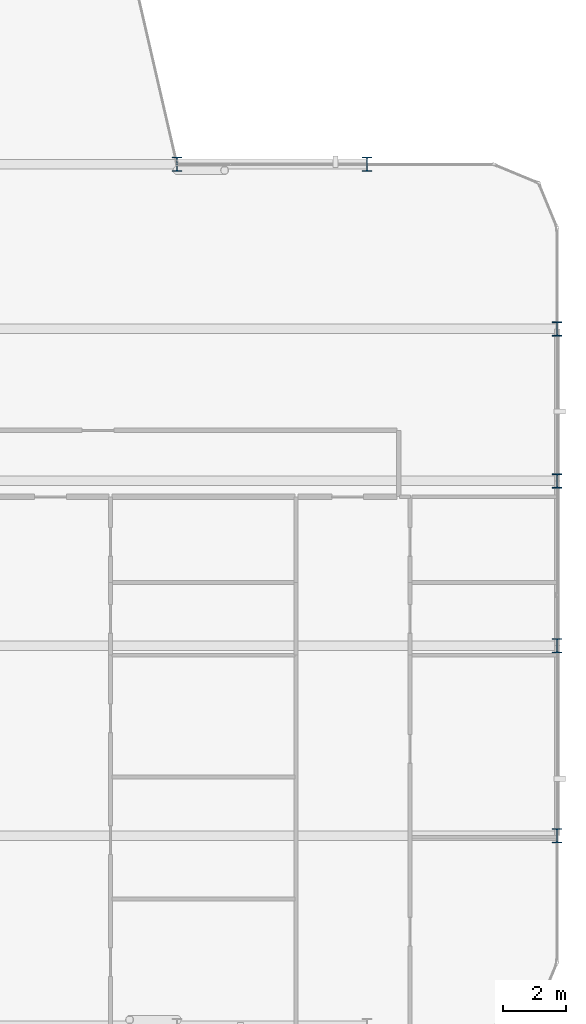
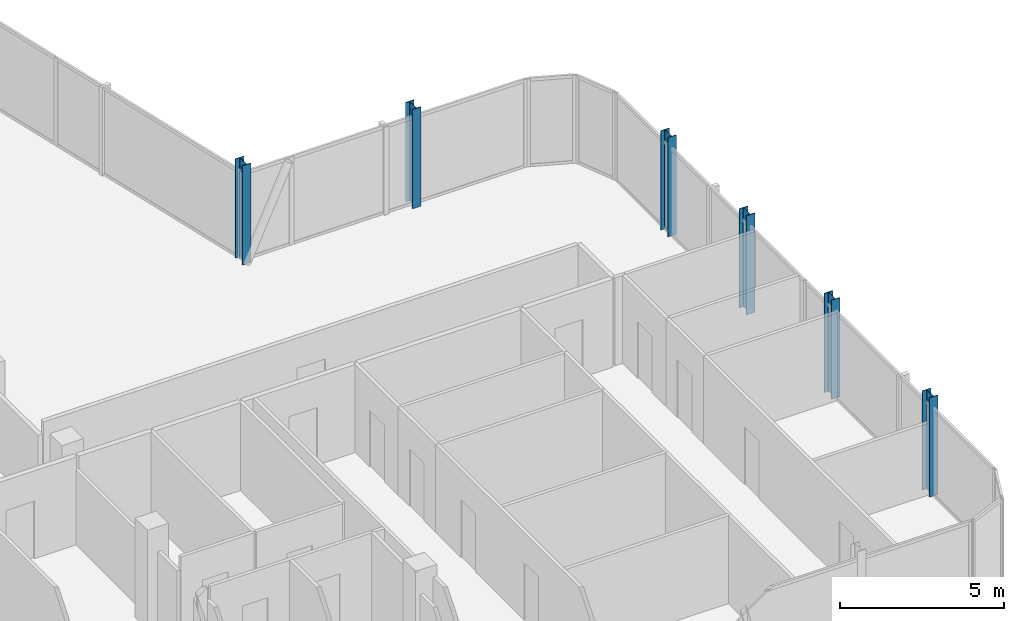
# One storey, part 2 of 28: 6 columns.
"""IFC4 building model written with IfcOpenShell, lengths in metres."""

import ifcopenshell
import ifcopenshell.guid

model = None  # the IFC model being written
_history = None  # IfcOwnerHistory: only IFC2X3 demands one
_inside = {}  # id of a spatial element -> (the spatial element, [elements in it])
_under = {}  # id of a project, library or spatial element -> (it, [spatial elements below it])
_declared = {}  # id of a project -> (the project, [libraries it declares])
_typed = {}  # id of a type object -> (the type object, [elements of that type])
_made_of = {}  # id of a material, layer set ... -> (it, [elements and type objects made of it])


def new_model(schema):
    """Start an empty IFC model of exactly this schema.

    Asked for "IFC4X3", IfcOpenShell would pick the latest addendum, in which some entities
    have other attributes; the version numbers below select the first issue.
    IFC2X3 requires an IfcOwnerHistory on every rooted entity: one is made here for all.
    """
    global model, _history
    if schema == "IFC4X3":
        model = ifcopenshell.file(schema_version=(4, 3, 0, 0))
    else:
        model = ifcopenshell.file(schema=schema)
    _inside.clear()
    _under.clear()
    _declared.clear()
    _typed.clear()
    _made_of.clear()
    _history = None
    if model.schema == "IFC2X3":
        org = make("IfcOrganization", Name="unknown")
        user = make(
            "IfcPersonAndOrganization",
            ThePerson=make("IfcPerson", FamilyName="unknown"),
            TheOrganization=org,
        )
        app = make(
            "IfcApplication",
            ApplicationDeveloper=org,
            Version="unknown",
            ApplicationFullName="unknown",
            ApplicationIdentifier="unknown",
        )
        _history = make(
            "IfcOwnerHistory",
            OwningUser=user,
            OwningApplication=app,
            ChangeAction="ADDED",
            CreationDate=0,
        )
    return model


def make(cls, **values):
    """One entity of the class cls with the attributes given. An attribute that is None is left unset."""
    return model.create_entity(
        cls, **{name: value for name, value in values.items() if value is not None}
    )


def rooted(cls, **values):
    """An entity with a GlobalId (a new one), such as an element, a storey or a relation."""
    return make(cls, GlobalId=ifcopenshell.guid.new(), OwnerHistory=_history, **values)


def si_unit(unit_type, name, prefix=None):
    """IfcSIUnit, for example si_unit("LENGTHUNIT", "METRE", prefix="MILLI")."""
    return make("IfcSIUnit", UnitType=unit_type, Prefix=prefix, Name=name)


def assignment(units):
    """IfcUnitAssignment: the units of a project."""
    return None if units is None else make("IfcUnitAssignment", Units=units)


def point(xyz):
    """IfcCartesianPoint."""
    return None if xyz is None else make("IfcCartesianPoint", Coordinates=xyz)


def direction(xyz):
    """IfcDirection."""
    return None if xyz is None else make("IfcDirection", DirectionRatios=xyz)


def frame(location, z_axis=None, x_axis=None):
    """IfcAxis2Placement3D, a coordinate frame: its origin and axes. An axis left out is left unset."""
    return make(
        "IfcAxis2Placement3D",
        Location=point(location),
        Axis=direction(z_axis),
        RefDirection=direction(x_axis),
    )


def frame_2d(location, x_axis=None):
    """IfcAxis2Placement2D, a coordinate frame in the plane: its origin and x axis."""
    return make(
        "IfcAxis2Placement2D", Location=point(location), RefDirection=direction(x_axis)
    )


def origin():
    """The frame at (0, 0, 0) with its axes left unset."""
    return frame((0.0, 0.0, 0.0))


def origin_2d():
    """The frame at (0, 0) in the plane with its x axis left unset."""
    return frame_2d((0.0, 0.0))


def place(relative_to, where):
    """IfcLocalPlacement: puts the frame where relative to a parent placement (None: the world)."""
    return make(
        "IfcLocalPlacement", PlacementRelTo=relative_to, RelativePlacement=where
    )


def context(
    kind, dimensions, precision=None, world=None, true_north=None, identifier=None
):
    """IfcGeometricRepresentationContext, for example the 3D "Model" context."""
    return make(
        "IfcGeometricRepresentationContext",
        ContextIdentifier=identifier,
        ContextType=kind,
        CoordinateSpaceDimension=dimensions,
        Precision=precision,
        WorldCoordinateSystem=world,
        TrueNorth=true_north,
    )


def subcontext(parent, identifier, kind, view, scale=None):
    """IfcGeometricRepresentationSubContext, for example "Body" below "Model"."""
    return make(
        "IfcGeometricRepresentationSubContext",
        ContextIdentifier=identifier,
        ContextType=kind,
        ParentContext=parent,
        TargetScale=scale,
        TargetView=view,
    )


def project(units=None, contexts=None):
    """IfcProject with its units and contexts."""
    return rooted(
        "IfcProject",
        Name="project",
        RepresentationContexts=contexts,
        UnitsInContext=assignment(units),
    )


def spatial(cls, under=None, at=None, **own):
    """A site, building, storey or space (cls), placed at a placement, below another one or the project."""
    s = rooted(cls, ObjectPlacement=at, **own)
    if under is not None:
        _under.setdefault(under.id(), (under, []))[1].append(s)
    return s


def profile(cls, at=None, kind="AREA", **sizes):
    """A parametric profile (cls). Its sizes go by their IFC names, for example OverallWidth=200.0."""
    return make(cls, ProfileType=kind, Position=at, **sizes)


def i_section(**sizes):
    """IfcIShapeProfileDef."""
    return profile("IfcIShapeProfileDef", **sizes)


def extrude(swept, where, along, depth):
    """IfcExtrudedAreaSolid: the profile swept, set in the frame where, extruded along a direction by depth."""
    return make(
        "IfcExtrudedAreaSolid",
        SweptArea=swept,
        Position=where,
        ExtrudedDirection=direction(along),
        Depth=depth,
    )


def shape(context_of_items, identifier, shape_type, items):
    """IfcShapeRepresentation: the items that make up one representation, for example the "Body"."""
    return make(
        "IfcShapeRepresentation",
        ContextOfItems=context_of_items,
        RepresentationIdentifier=identifier,
        RepresentationType=shape_type,
        Items=items,
    )


def material(Name=None, Category=None):
    """IfcMaterial."""
    return make("IfcMaterial", Name=Name, Category=Category)


def material_profile(
    of_material, cross_section, Name=None, Category=None, Priority=None
):
    """IfcMaterialProfile: a cross section and its material."""
    return make(
        "IfcMaterialProfile",
        Name=Name,
        Material=of_material,
        Profile=cross_section,
        Priority=Priority,
        Category=Category,
    )


def profile_set(profiles, Name=None, composite=None):
    """IfcMaterialProfileSet."""
    return make(
        "IfcMaterialProfileSet",
        Name=Name,
        MaterialProfiles=profiles,
        CompositeProfile=composite,
    )


def made_of(thing, what):
    """Note that an element or type object is made of a material, layer set ...; save() writes the relation."""
    if what is not None:
        _made_of.setdefault(what.id(), (what, []))[1].append(thing)
    return thing


def type_object(cls, material=None, **own):
    """A type object (cls), such as IfcWallType, which elements share."""
    return made_of(rooted(cls, **own), material)


def element(
    cls,
    number,
    at=None,
    inside=None,
    cuts=None,
    type_object=None,
    material=None,
    context=None,
    identifier="Body",
    shape_type=None,
    held_by="IfcProductDefinitionShape",
    body=None,
    shapes=None,
    **own,
):
    """One element of the class cls, such as IfcWall. Its Tag is "e" and its number.

    at: its placement. inside: the storey or other place that contains it. cuts: it is an
    opening in that element (IfcRelVoidsElement). A single representation is given by context,
    identifier, shape_type and body (its items); several are given by shapes. held_by: the class
    of the entity that holds the representations. save() writes the other relations.
    """
    e = rooted(cls, Tag="e%d" % number, ObjectPlacement=at, **own)
    if body is not None:
        shapes = [shape(context, identifier, shape_type, body)]
    if shapes is not None:
        e.Representation = make(held_by, Representations=shapes)
    if inside is not None:
        _inside.setdefault(inside.id(), (inside, []))[1].append(e)
    if cuts is not None:
        rooted(
            "IfcRelVoidsElement", RelatingBuildingElement=cuts, RelatedOpeningElement=e
        )
    if type_object is not None:
        _typed.setdefault(type_object.id(), (type_object, []))[1].append(e)
    return made_of(e, material)


def aggregate(whole, parts):
    """IfcRelAggregates: a whole, such as a stair, and the parts it consists of."""
    return rooted("IfcRelAggregates", RelatingObject=whole, RelatedObjects=parts)


def save(model, path):
    """Write the relations noted so far, then the file.

    IfcRelAggregates (storeys below a building ...), IfcRelContainedInSpatialStructure (elements
    in a storey), IfcRelDefinesByType, IfcRelAssociatesMaterial and IfcRelDeclares: one each for
    every whole, place, type object, material and project.
    """
    for whole, parts in _under.values():
        aggregate(whole, parts)
    for where, things in _inside.values():
        rooted(
            "IfcRelContainedInSpatialStructure",
            RelatedElements=things,
            RelatingStructure=where,
        )
    for kind, things in _typed.values():
        rooted("IfcRelDefinesByType", RelatedObjects=things, RelatingType=kind)
    for what, things in _made_of.values():
        rooted("IfcRelAssociatesMaterial", RelatedObjects=things, RelatingMaterial=what)
    for by, libraries in _declared.values():
        rooted("IfcRelDeclares", RelatingContext=by, RelatedDefinitions=libraries)
    model.write(path)


model = new_model("IFC4")

# Units and contexts
model_context = context("Model", 3, precision=1e-05, world=origin(), true_north=direction((0.0, 1.0)))
body_context = subcontext(model_context, "Body", "Model", "MODEL_VIEW")
ifc_project = project(units=[si_unit("LENGTHUNIT", "METRE"), si_unit("AREAUNIT", "SQUARE_METRE"), si_unit("VOLUMEUNIT", "CUBIC_METRE"), si_unit("PLANEANGLEUNIT", "RADIAN"), si_unit("MASSUNIT", "GRAM", prefix="KILO")], contexts=[model_context])

# Site, building, storey
site_placement = place(None, origin())
site = spatial("IfcSite", under=ifc_project, at=site_placement, CompositionType="ELEMENT")
building_placement = place(site_placement, origin())
building = spatial("IfcBuilding", under=site, at=building_placement, Name="Keshet Zoharim Tower", CompositionType="ELEMENT")
storey_placement = place(building_placement, frame((0.0, 0.0, 233.89990234375)))
storey = spatial("IfcBuildingStorey", under=building, at=storey_placement, Name="L58", CompositionType="ELEMENT", Elevation=233.89990234375)

# Columns
ifc_material = material(Name="Steel S355", Category="steel")
ifc_material_profile = material_profile(ifc_material, i_section(OverallWidth=0.300048828125, OverallDepth=0.449951171875, WebThickness=0.013916015625, FlangeThickness=0.02587890625, FilletRadius=0.027099609375, at=origin_2d()), Name="HEB450")
ifc_profile_set = profile_set([ifc_material_profile], Name="Steel S355")
column_type = type_object("IfcColumnType", Name="COL-HEB450", PredefinedType="COLUMN", material=ifc_profile_set)
for number, where, z_axis, x_axis, name in (
    (1, (45.0, 27.89990234375, 0.0), (0.0, 0.0, 1.0), (1.0, 0.0, 0.0), "L58 Column 8F"),
    (2, (51.0, 27.89990234375, 0.0), (0.0, 0.0, 1.0), (1.0, 0.0, 0.0), "L58 Column 9F"),
    (3, (57.0, 6.699951171875, 0.0), (0.0, 0.0, 1.0), (1.0, 0.0, 0.0), "L58 Column 10B"),
    (4, (57.0, 12.699951171875, 0.0), (0.0, 0.0, 1.0), (1.0, 0.0, 0.0), "L58 Column 10C"),
    (5, (57.0, 17.89990234375, 0.0), (0.0, 0.0, 1.0), (1.0, 0.0, 0.0), "L58 Column 10D"),
    (6, (57.0, 22.699951171875, 0.0), (0.0, 0.0, 1.0), (1.0, 0.0, 0.0), "L58 Column 10E"),
):
    element("IfcColumn", number, at=place(storey_placement, frame(where, z_axis=z_axis, x_axis=x_axis)), inside=storey, type_object=column_type, Name=name, PredefinedType="COLUMN", context=body_context, shape_type="SweptSolid", body=[
        extrude(i_section(OverallWidth=0.300048828125, OverallDepth=0.449951171875, WebThickness=0.013916015625, FlangeThickness=0.02587890625, FilletRadius=0.027099609375, at=origin_2d()), origin(), (0.0, 0.0, 1.0), 3.7001953125),
    ])

save(model, "model.ifc")
